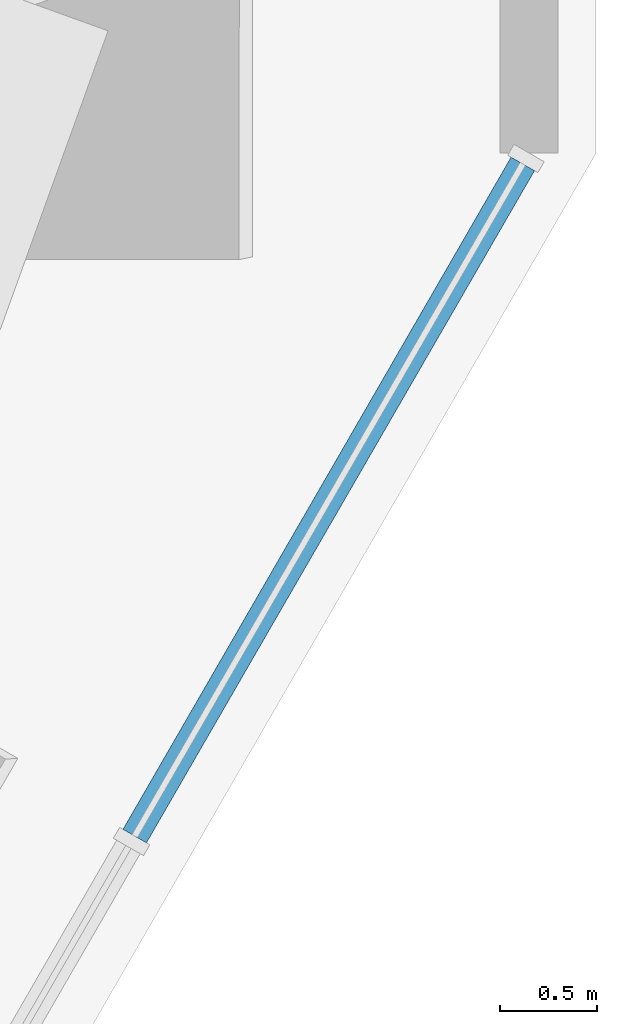
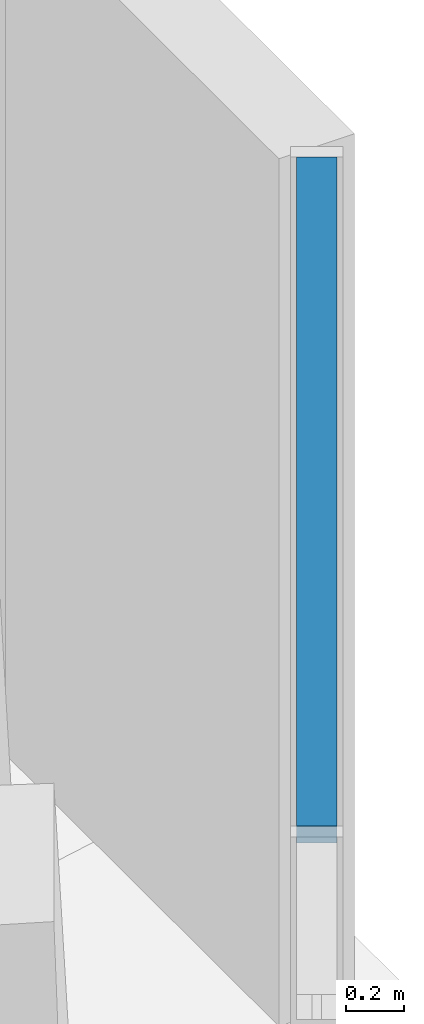
# One storey, part 6 of 18: 1 member, 1 element without a shape of its own.
"""IFC4 building model written with IfcOpenShell, lengths in metres."""

from ifc_helpers import new_model, si_unit, direction, frame, origin, origin_2d, place, context, subcontext, project, spatial, rectangle, extrude, material, material_profile, profile_set, type_object, element, aggregate, save


model = new_model("IFC4")

# Units and contexts
model_context = context("Model", 3, precision=1e-05, world=origin(), true_north=direction((0.0, 1.0)))
body_context = subcontext(model_context, "Body", "Model", "MODEL_VIEW")
ifc_project = project(units=[si_unit("LENGTHUNIT", "METRE"), si_unit("AREAUNIT", "SQUARE_METRE"), si_unit("VOLUMEUNIT", "CUBIC_METRE"), si_unit("PLANEANGLEUNIT", "RADIAN"), si_unit("MASSUNIT", "GRAM", prefix="KILO")], contexts=[model_context])

# Site, building, storey
site_placement = place(None, origin())
site = spatial("IfcSite", under=ifc_project, at=site_placement, CompositionType="ELEMENT")
building_placement = place(site_placement, origin())
building = spatial("IfcBuilding", under=site, at=building_placement, Name="Sandreach Pilgrim Tower", CompositionType="ELEMENT")
storey_placement = place(building_placement, frame((0.0, 0.0, 157.60009765625)))
storey = spatial("IfcBuildingStorey", under=building, at=storey_placement, Name="L39", CompositionType="ELEMENT", Elevation=157.60009765625)

# Curtain wall, member
ifc_material_1 = material(Name="Aluminium framed curtain wall", Category="aluminium")
curtain_wall_type = type_object("IfcCurtainWallType", Name="Hotel tower curtain wall", PredefinedType="NOTDEFINED", material=ifc_material_1)
curtain_wall_placement = place(storey_placement, origin())
curtain_wall = element("IfcCurtainWall", 1, at=curtain_wall_placement, inside=storey, type_object=curtain_wall_type, Name="CW-2 L39 SE", PredefinedType="NOTDEFINED")
ifc_material_2 = material(Name="Aluminium extrusion", Category="aluminium")
ifc_material_profile = material_profile(ifc_material_2, rectangle(XDim=0.139892578125, YDim=0.070068359375, at=origin_2d()), Name="CW-2T 140X70")
ifc_profile_set = profile_set([ifc_material_profile], Name="Aluminium extrusion")
member_type = type_object("IfcMemberType", Name="CW-2 transom", PredefinedType="USERDEFINED", material=ifc_profile_set)
member_placement = place(storey_placement, frame((28.6884765625, 4.7021484375, 3.60498046875), z_axis=(-0.500015851672, -0.866016251624, 0.0), x_axis=(0.866016251624, -0.500015851672, 0.0)))
member = element("IfcMember", 2, at=member_placement, type_object=member_type, Name="CW-2 head transom 1", ObjectType="TRANSOM", PredefinedType="USERDEFINED", context=body_context, shape_type="SweptSolid", body=[
    extrude(rectangle(XDim=0.139892578125, YDim=0.070068359375, at=origin_2d()), origin(), (0.0, 0.0, 1.0), 4.009521484375),
])
aggregate(curtain_wall, [member])

save(model, "model.ifc")
